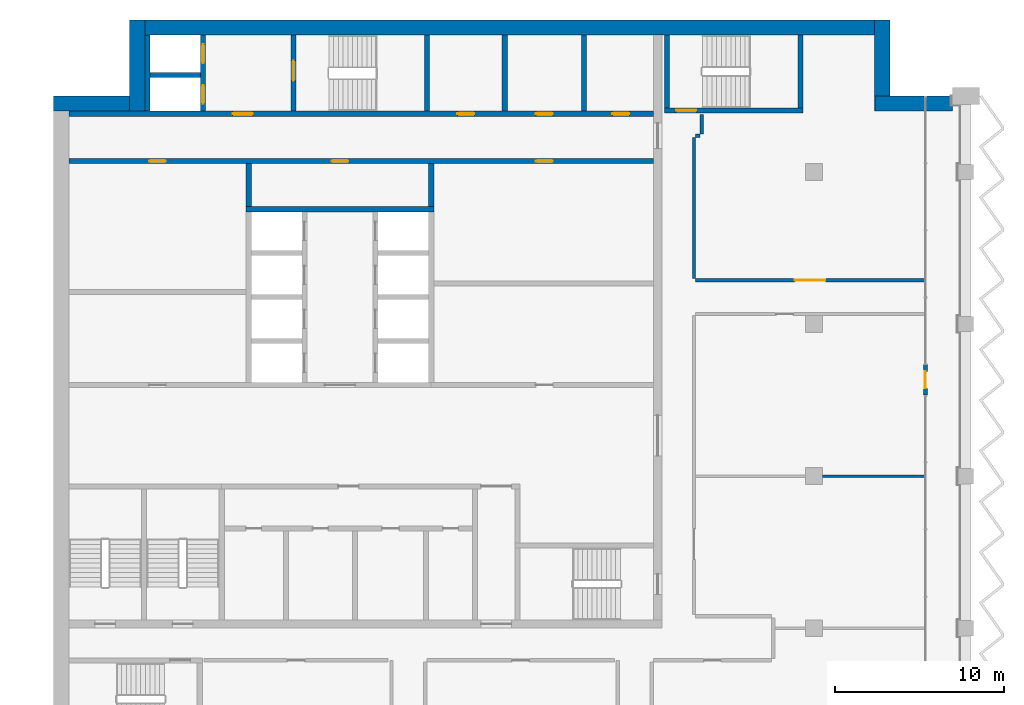
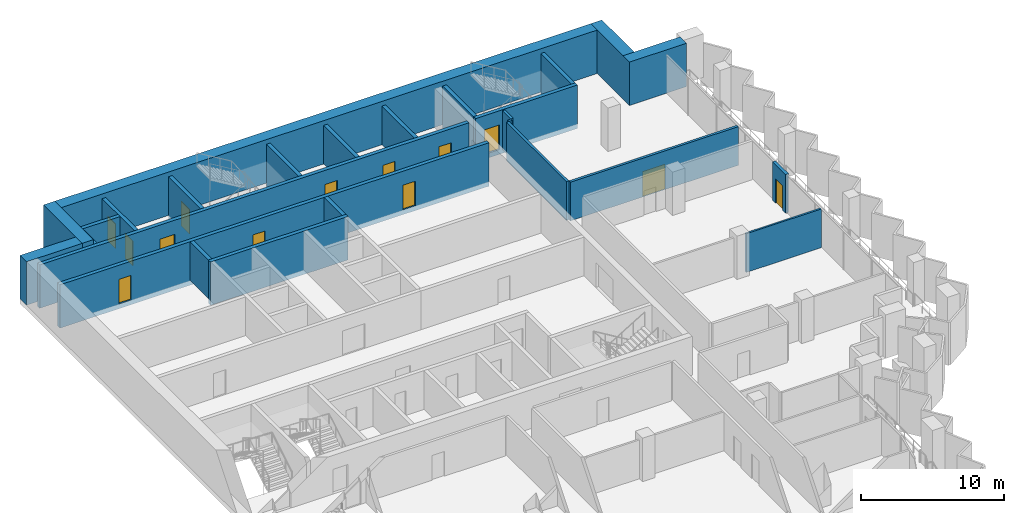
# One storey, part 10 of 16: 26 walls, 13 doors, 13 openings.
"""IFC4 building model written with IfcOpenShell, lengths in metres."""

from ifc_helpers import new_model, si_unit, direction, frame, frame_2d, origin, place, context, subcontext, project, spatial, rectangle, extrude, material, layer, layer_set, type_object, element, fill, save


model = new_model("IFC4")

# Units and contexts
model_context = context("Model", 3, precision=1e-05, world=origin(), true_north=direction((0.0, 1.0)))
body_context = subcontext(model_context, "Body", "Model", "MODEL_VIEW")
ifc_project = project(units=[si_unit("LENGTHUNIT", "METRE"), si_unit("AREAUNIT", "SQUARE_METRE"), si_unit("VOLUMEUNIT", "CUBIC_METRE"), si_unit("PLANEANGLEUNIT", "RADIAN"), si_unit("MASSUNIT", "GRAM", prefix="KILO")], contexts=[model_context])

# Site, building, storey
site_placement = place(None, origin())
site = spatial("IfcSite", under=ifc_project, at=site_placement, CompositionType="ELEMENT")
building_placement = place(site_placement, origin())
building = spatial("IfcBuilding", under=site, at=building_placement, Name="Hunhe Ridgeline Campus", CompositionType="ELEMENT")
storey_placement = place(building_placement, frame((0.0, 0.0, 257.699951171875)))
storey = spatial("IfcBuildingStorey", under=building, at=storey_placement, Name="L66", CompositionType="ELEMENT", Elevation=257.699951171875)

# Walls
ifc_material_1 = material(Name="Masonry concrete blockwork", Category="masonry")
ifc_layer_1 = layer(ifc_material_1, 0.300048828125)
ifc_layer_set_1 = layer_set([ifc_layer_1], Name="Core room partition 300 concrete block")
wall_type_1 = type_object("IfcWallType", Name="Core room partition 300 concrete block", PredefinedType="PARTITIONING", material=ifc_layer_set_1)
for number, where, z_axis, x_axis, name in (
    (1, (11.550048828125, 87.949951171875, 0.0), (0.0, 0.0, 1.0), (0.0, 1.0, 0.0), "L66 core partition 31"),
    (2, (22.35009765625, 87.949951171875, 0.0), (0.0, 0.0, 1.0), (0.0, 1.0, 0.0), "L66 core partition 41"),
):
    element("IfcWall", number, at=place(storey_placement, frame(where, z_axis=z_axis, x_axis=x_axis)), inside=storey, type_object=wall_type_1, Name=name, PredefinedType="PARTITIONING", context=body_context, shape_type="SweptSolid", body=[
        extrude(rectangle(XDim=2.550048828125, YDim=0.300048828125, at=frame_2d((1.27490234375, 0.0))), origin(), (0.0, 0.0, 1.0), 3.300048828125),
    ])
for number, where, z_axis, x_axis, name in (
    (3, (26.699951171875, 93.60009765625, 0.0), (0.0, 0.0, 1.0), (0.0, 1.0, 0.0), "L66 core partition 44"),
    (4, (31.39990234375, 93.60009765625, 0.0), (0.0, 0.0, 1.0), (0.0, 1.0, 0.0), "L66 core partition 47"),
):
    element("IfcWall", number, at=place(storey_placement, frame(where, z_axis=z_axis, x_axis=x_axis)), inside=storey, type_object=wall_type_1, Name=name, PredefinedType="PARTITIONING", context=body_context, shape_type="SweptSolid", body=[
        extrude(rectangle(XDim=4.5, YDim=0.300048828125, at=frame_2d((2.25, 0.0))), origin(), (0.0, 0.0, 1.0), 3.300048828125),
    ])

# Wall, opening, door
ifc_material_2 = material(Name="Gypsum board partition")
ifc_layer_2 = layer(ifc_material_2, 0.199951171875)
ifc_layer_set_2 = layer_set([ifc_layer_2], Name="Corridor partition 200 gypsum board on steel studs")
wall_type_2 = type_object("IfcWallType", Name="Corridor partition 200 gypsum board on steel studs", PredefinedType="PARTITIONING", material=ifc_layer_set_2)
wall_1_placement = place(storey_placement, frame((38.0, 83.60009765625, 0.0), z_axis=(0.0, 0.0, 1.0), x_axis=(1.0, 0.0, 0.0)))
wall_1 = element("IfcWall", 5, at=wall_1_placement, inside=storey, type_object=wall_type_2, Name="F-L66-wall-030", PredefinedType="PARTITIONING", context=body_context, shape_type="SweptSolid", body=[
    extrude(rectangle(XDim=13.544921875, YDim=0.199951171875, at=frame_2d((6.7724609375, 0.0))), origin(), (0.0, 0.0, 1.0), 3.300048828125),
])
opening_1_placement = place(wall_1_placement, frame((5.87255859375, 0.0, 0.0)))
opening_1 = element("IfcOpeningElement", 6, at=opening_1_placement, cuts=wall_1, Name="Opening RD2-020", PredefinedType="OPENING", context=body_context, shape_type="SweptSolid", body=[
    extrude(rectangle(XDim=1.800048828125, YDim=2.10009765625, at=frame_2d((0.89990234375, 1.050048828125))), frame((0.0, 0.10009765625, 0.0), z_axis=(0.0, -1.0, 0.0), x_axis=(1.0, 0.0, 0.0)), (0.0, 0.0, 1.0), 0.199951171875),
])
ifc_material_3 = material(Name="Timber door leaf", Category="wood")
door_type_1 = type_object("IfcDoorType", Name="Double fire door 1800x2100 timber FD60", OperationType="DOUBLE_DOOR_SINGLE_SWING", PredefinedType="DOOR", material=ifc_material_3)
door_1_placement = place(opening_1_placement, origin())
door_1 = element("IfcDoor", 7, at=door_1_placement, inside=storey, type_object=door_type_1, Name="F-L66-door-020", OperationType="DOUBLE_DOOR_SINGLE_SWING", OverallHeight=2.10009765625, OverallWidth=1.800048828125, PredefinedType="DOOR", context=body_context, shape_type="SweptSolid", body=[
    extrude(rectangle(XDim=1.800048828125, YDim=2.10009765625, at=frame_2d((0.89990234375, 1.050048828125))), frame((0.0, 0.02490234375, 0.0), z_axis=(0.0, -1.0, 0.0), x_axis=(1.0, 0.0, 0.0)), (0.0, 0.0, 1.0), 0.050048828125),
])
fill(opening_1, door_1)

# Walls
wall_2_placement = place(storey_placement, frame((38.25, 92.14990234375, 0.0), z_axis=(0.0, 0.0, 1.0), x_axis=(-1.0, 0.0, 0.0)))
element("IfcWall", 8, at=wall_2_placement, inside=storey, type_object=wall_type_2, Name="F-L66-wall-031", PredefinedType="PARTITIONING", context=body_context, shape_type="SweptSolid", body=[
    extrude(rectangle(XDim=0.25, YDim=0.199951171875, at=frame_2d((0.125, 0.0))), origin(), (0.0, 0.0, 1.0), 3.300048828125),
])
wall_3_placement = place(storey_placement, frame((37.89990234375, 92.050048828125, 0.0), z_axis=(0.0, 0.0, 1.0), x_axis=(0.0, -1.0, 0.0)))
element("IfcWall", 9, at=wall_3_placement, inside=storey, type_object=wall_type_2, Name="F-L66-wall-040", PredefinedType="PARTITIONING", context=body_context, shape_type="SweptSolid", body=[
    extrude(rectangle(XDim=8.35009765625, YDim=0.199951171875, at=frame_2d((4.175048828125, 0.0))), origin(), (0.0, 0.0, 1.0), 3.300048828125),
])
wall_4_placement = place(storey_placement, frame((38.35009765625, 93.39599609375, 0.0), z_axis=(0.0, 0.0, 1.0), x_axis=(0.0, -1.0, 0.0)))
element("IfcWall", 10, at=wall_4_placement, inside=storey, type_object=wall_type_2, Name="F-L66-wall-041", PredefinedType="PARTITIONING", context=body_context, shape_type="SweptSolid", body=[
    extrude(rectangle(XDim=1.14599609375, YDim=0.199951171875, at=frame_2d((0.572998046875, 0.0))), origin(), (0.0, 0.0, 1.0), 3.300048828125),
])

# Wall, openings, doors
ifc_material_4 = material(Name="Concrete C50", Category="concrete")
ifc_layer_3 = layer(ifc_material_4, 0.300048828125)
ifc_layer_set_3 = layer_set([ifc_layer_3], Name="Lobby wall 300 reinforced concrete C50")
wall_type_3 = type_object("IfcWallType", Name="Lobby wall 300 reinforced concrete C50", PredefinedType="SOLIDWALL", material=ifc_layer_set_3)
wall_5_placement = place(storey_placement, frame((0.89990234375, 90.64990234375, -0.39990234375), z_axis=(0.0, 0.0, 1.0), x_axis=(1.0, 0.0, 0.0)))
wall_5 = element("IfcWall", 11, at=wall_5_placement, inside=storey, type_object=wall_type_3, Name="L66 core wall 21", PredefinedType="SOLIDWALL", context=body_context, shape_type="SweptSolid", body=[
    extrude(rectangle(XDim=34.60009765625, YDim=0.300048828125, at=frame_2d((17.300048828125, 0.0))), origin(), (0.0, 0.0, 1.0), 3.699951171875),
])
opening_2_placement = place(wall_5_placement, frame((15.550048828125, 0.0, 0.39990234375)))
opening_2 = element("IfcOpeningElement", 12, at=opening_2_placement, cuts=wall_5, Name="Opening CD26", PredefinedType="OPENING", context=body_context, shape_type="SweptSolid", body=[
    extrude(rectangle(XDim=1.0, YDim=2.10009765625, at=frame_2d((0.5, 1.050048828125))), frame((0.0, 0.14990234375, 0.0), z_axis=(0.0, -1.0, 0.0), x_axis=(1.0, 0.0, 0.0)), (0.0, 0.0, 1.0), 0.300048828125),
])
opening_3_placement = place(wall_5_placement, frame((4.75, 0.0, 0.39990234375)))
opening_3 = element("IfcOpeningElement", 13, at=opening_3_placement, cuts=wall_5, Name="Opening CD40", PredefinedType="OPENING", context=body_context, shape_type="SweptSolid", body=[
    extrude(rectangle(XDim=1.0, YDim=2.10009765625, at=frame_2d((0.5, 1.050048828125))), frame((0.0, 0.14990234375, 0.0), z_axis=(0.0, -1.0, 0.0), x_axis=(1.0, 0.0, 0.0)), (0.0, 0.0, 1.0), 0.300048828125),
])
opening_4_placement = place(wall_5_placement, frame((27.64990234375, 0.0, 0.39990234375)))
opening_4 = element("IfcOpeningElement", 14, at=opening_4_placement, cuts=wall_5, Name="Opening CD33", PredefinedType="OPENING", context=body_context, shape_type="SweptSolid", body=[
    extrude(rectangle(XDim=1.0, YDim=2.10009765625, at=frame_2d((0.5, 1.050048828125))), frame((0.0, 0.14990234375, 0.0), z_axis=(0.0, -1.0, 0.0), x_axis=(1.0, 0.0, 0.0)), (0.0, 0.0, 1.0), 0.300048828125),
])
ifc_material_5 = material(Name="Solid core timber door leaf", Category="wood")
door_type_2 = type_object("IfcDoorType", Name="Timber door 1000x2100", OperationType="SINGLE_SWING_LEFT", PredefinedType="DOOR", material=ifc_material_5)
door_2_placement = place(opening_2_placement, frame((1.0, 0.0, 0.0), z_axis=(0.0, 0.0, 1.0), x_axis=(-1.0, 0.0, 0.0)))
door_2 = element("IfcDoor", 15, at=door_2_placement, inside=storey, type_object=door_type_2, Name="L66 door NR-0", OperationType="SINGLE_SWING_RIGHT", OverallHeight=2.10009765625, OverallWidth=1.0, PredefinedType="DOOR", context=body_context, shape_type="SweptSolid", body=[
    extrude(rectangle(XDim=1.0, YDim=2.10009765625, at=frame_2d((0.5, 1.050048828125))), frame((0.0, 0.02490234375, 0.0), z_axis=(0.0, -1.0, 0.0), x_axis=(1.0, 0.0, 0.0)), (0.0, 0.0, 1.0), 0.050048828125),
])
fill(opening_2, door_2)
door_3_placement = place(opening_3_placement, frame((1.0, 0.0, 0.0), z_axis=(0.0, 0.0, 1.0), x_axis=(-1.0, 0.0, 0.0)))
door_3 = element("IfcDoor", 16, at=door_3_placement, inside=storey, type_object=door_type_2, Name="L66 door VD-LR1", OperationType="SINGLE_SWING_RIGHT", OverallHeight=2.10009765625, OverallWidth=1.0, PredefinedType="DOOR", context=body_context, shape_type="SweptSolid", body=[
    extrude(rectangle(XDim=1.0, YDim=2.10009765625, at=frame_2d((0.5, 1.050048828125))), frame((0.0, 0.02490234375, 0.0), z_axis=(0.0, -1.0, 0.0), x_axis=(1.0, 0.0, 0.0)), (0.0, 0.0, 1.0), 0.050048828125),
])
fill(opening_3, door_3)
door_4_placement = place(opening_4_placement, frame((1.0, 0.0, 0.0), z_axis=(0.0, 0.0, 1.0), x_axis=(-1.0, 0.0, 0.0)))
door_4 = element("IfcDoor", 17, at=door_4_placement, inside=storey, type_object=door_type_2, Name="L66 door ES1", OperationType="SINGLE_SWING_LEFT", OverallHeight=2.10009765625, OverallWidth=1.0, PredefinedType="DOOR", context=body_context, shape_type="SweptSolid", body=[
    extrude(rectangle(XDim=1.0, YDim=2.10009765625, at=frame_2d((0.5, 1.050048828125))), frame((0.0, 0.02490234375, 0.0), z_axis=(0.0, -1.0, 0.0), x_axis=(1.0, 0.0, 0.0)), (0.0, 0.0, 1.0), 0.050048828125),
])
fill(opening_4, door_4)

# Wall, opening, door
ifc_material_6 = material(Name="Concrete C30", Category="concrete")
ifc_layer_4 = layer(ifc_material_6, 0.25)
ifc_layer_set_4 = layer_set([ifc_layer_4], Name="Loggia door pier wall 250 Concrete C30")
wall_type_4 = type_object("IfcWallType", Name="Loggia door pier wall 250 Concrete C30", PredefinedType="SOLIDWALL", material=ifc_layer_set_4)
wall_6_placement = place(storey_placement, frame((51.59912109375, 76.800537109375, 0.0), z_axis=(0.0, 0.0, 1.0), x_axis=(0.0, 1.0, 0.0)))
wall_6 = element("IfcWall", 18, at=wall_6_placement, inside=storey, type_object=wall_type_4, Name="Loggia door pier 4", PredefinedType="SOLIDWALL", context=body_context, shape_type="SweptSolid", body=[
    extrude(rectangle(XDim=1.800048828125, YDim=0.25, at=frame_2d((0.89990234375, 0.0))), origin(), (0.0, 0.0, 1.0), 3.300048828125),
])
opening_5_placement = place(wall_6_placement, frame((0.39990234375, 0.0, 0.0)))
opening_5 = element("IfcOpeningElement", 19, at=opening_5_placement, cuts=wall_6, Name="Opening BD506", PredefinedType="OPENING", context=body_context, shape_type="SweptSolid", body=[
    extrude(rectangle(XDim=1.0, YDim=2.10009765625, at=frame_2d((0.5, 1.050048828125))), frame((0.0, 0.125, 0.0), z_axis=(0.0, -1.0, 0.0), x_axis=(1.0, 0.0, 0.0)), (0.0, 0.0, 1.0), 0.25),
])
ifc_material_7 = material(Name="Aluminium 6063", Category="aluminium")
door_type_3 = type_object("IfcDoorType", Name="Loggia glazed door 1000x2100", OperationType="NOTDEFINED", PredefinedType="DOOR", material=ifc_material_7)
door_5_placement = place(opening_5_placement, frame((1.0, 0.0, 0.0), z_axis=(0.0, 0.0, 1.0), x_axis=(-1.0, 0.0, 0.0)))
door_5 = element("IfcDoor", 20, at=door_5_placement, inside=storey, type_object=door_type_3, Name="Loggia door BD506", OperationType="SINGLE_SWING_LEFT", OverallHeight=2.10009765625, OverallWidth=1.0, PredefinedType="DOOR", context=body_context, shape_type="SweptSolid", body=[
    extrude(rectangle(XDim=1.0, YDim=2.10009765625, at=frame_2d((0.5, 1.050048828125))), frame((0.0, 0.02490234375, 0.0), z_axis=(0.0, -1.0, 0.0), x_axis=(1.0, 0.0, 0.0)), (0.0, 0.0, 1.0), 0.050048828125),
])
fill(opening_5, door_5)

# Walls
ifc_layer_5 = layer(ifc_material_2, 0.14990234375)
ifc_layer_set_5 = layer_set([ifc_layer_5], Name="Room partition 150 gypsum board on steel studs")
wall_type_5 = type_object("IfcWallType", Name="Room partition 150 gypsum board on steel studs", PredefinedType="PARTITIONING", material=ifc_layer_set_5)
wall_7_placement = place(storey_placement, frame((45.5, 72.0, 0.0), z_axis=(0.0, 0.0, 1.0), x_axis=(1.0, 0.0, 0.0)))
element("IfcWall", 21, at=wall_7_placement, inside=storey, type_object=wall_type_5, Name="F-L66-wall-028", PredefinedType="PARTITIONING", context=body_context, shape_type="SweptSolid", body=[
    extrude(rectangle(XDim=6.044921875, YDim=0.14990234375, at=frame_2d((3.0224609375, 0.0))), origin(), (0.0, 0.0, 1.0), 3.300048828125),
])
ifc_layer_6 = layer(ifc_material_4, 0.300048828125)
ifc_layer_set_6 = layer_set([ifc_layer_6], Name="Shaft wall 300 reinforced concrete C50")
wall_type_6 = type_object("IfcWallType", Name="Shaft wall 300 reinforced concrete C50", PredefinedType="SOLIDWALL", material=ifc_layer_set_6)
wall_8_placement = place(storey_placement, frame((11.39990234375, 87.800048828125, -0.39990234375), z_axis=(0.0, 0.0, 1.0), x_axis=(1.0, 0.0, 0.0)))
element("IfcWall", 22, at=wall_8_placement, inside=storey, type_object=wall_type_6, Name="L66 core wall 20", PredefinedType="SOLIDWALL", context=body_context, shape_type="SweptSolid", body=[
    extrude(rectangle(XDim=11.10009765625, YDim=0.300048828125, at=frame_2d((5.550048828125, 0.0))), origin(), (0.0, 0.0, 1.0), 3.699951171875),
])

# Wall, openings, doors
wall_9_placement = place(storey_placement, frame((0.89990234375, 93.449951171875, -0.39990234375), z_axis=(0.0, 0.0, 1.0), x_axis=(1.0, 0.0, 0.0)))
wall_9 = element("IfcWall", 23, at=wall_9_placement, inside=storey, type_object=wall_type_6, Name="L66 core wall 22", PredefinedType="SOLIDWALL", context=body_context, shape_type="SweptSolid", body=[
    extrude(rectangle(XDim=34.60009765625, YDim=0.300048828125, at=frame_2d((17.300048828125, 0.0))), origin(), (0.0, 0.0, 1.0), 3.699951171875),
])
opening_6_placement = place(wall_9_placement, frame((9.699951171875, 0.0, 0.39990234375)))
opening_6 = element("IfcOpeningElement", 24, at=opening_6_placement, cuts=wall_9, Name="Opening CD3", PredefinedType="OPENING", context=body_context, shape_type="SweptSolid", body=[
    extrude(rectangle(XDim=1.199951171875, YDim=2.10009765625, at=frame_2d((0.60009765625, 1.050048828125))), frame((0.0, 0.14990234375, 0.0), z_axis=(0.0, -1.0, 0.0), x_axis=(1.0, 0.0, 0.0)), (0.0, 0.0, 1.0), 0.300048828125),
])
opening_7_placement = place(wall_9_placement, frame((23.0, 0.0, 0.39990234375)))
opening_7 = element("IfcOpeningElement", 25, at=opening_7_placement, cuts=wall_9, Name="Opening CD34", PredefinedType="OPENING", context=body_context, shape_type="SweptSolid", body=[
    extrude(rectangle(XDim=1.0, YDim=2.10009765625, at=frame_2d((0.5, 1.050048828125))), frame((0.0, 0.14990234375, 0.0), z_axis=(0.0, -1.0, 0.0), x_axis=(1.0, 0.0, 0.0)), (0.0, 0.0, 1.0), 0.300048828125),
])
opening_8_placement = place(wall_9_placement, frame((27.64990234375, 0.0, 0.39990234375)))
opening_8 = element("IfcOpeningElement", 26, at=opening_8_placement, cuts=wall_9, Name="Opening CD35", PredefinedType="OPENING", context=body_context, shape_type="SweptSolid", body=[
    extrude(rectangle(XDim=1.0, YDim=2.10009765625, at=frame_2d((0.5, 1.050048828125))), frame((0.0, 0.14990234375, 0.0), z_axis=(0.0, -1.0, 0.0), x_axis=(1.0, 0.0, 0.0)), (0.0, 0.0, 1.0), 0.300048828125),
])
opening_9_placement = place(wall_9_placement, frame((32.175048828125, 0.0, 0.39990234375)))
opening_9 = element("IfcOpeningElement", 27, at=opening_9_placement, cuts=wall_9, Name="Opening CD36", PredefinedType="OPENING", context=body_context, shape_type="SweptSolid", body=[
    extrude(rectangle(XDim=1.0, YDim=2.10009765625, at=frame_2d((0.5, 1.050048828125))), frame((0.0, 0.14990234375, 0.0), z_axis=(0.0, -1.0, 0.0), x_axis=(1.0, 0.0, 0.0)), (0.0, 0.0, 1.0), 0.300048828125),
])
ifc_material_8 = material(Name="Hollow metal fire door leaf")
door_type_4 = type_object("IfcDoorType", Name="Lobby door 1200x2100 FD60", OperationType="SINGLE_SWING_LEFT", PredefinedType="DOOR", material=ifc_material_8)
door_6_placement = place(opening_6_placement, frame((1.199951171875, 0.0, 0.0), z_axis=(0.0, 0.0, 1.0), x_axis=(-1.0, 0.0, 0.0)))
door_6 = element("IfcDoor", 28, at=door_6_placement, inside=storey, type_object=door_type_4, Name="L66 door FF-C1", OperationType="SINGLE_SWING_RIGHT", OverallHeight=2.10009765625, OverallWidth=1.199951171875, PredefinedType="DOOR", context=body_context, shape_type="SweptSolid", body=[
    extrude(rectangle(XDim=1.199951171875, YDim=2.10009765625, at=frame_2d((0.60009765625, 1.050048828125))), frame((0.0, 0.02490234375, 0.0), z_axis=(0.0, -1.0, 0.0), x_axis=(1.0, 0.0, 0.0)), (0.0, 0.0, 1.0), 0.050048828125),
])
fill(opening_6, door_6)
door_7_placement = place(opening_7_placement, origin())
door_7 = element("IfcDoor", 29, at=door_7_placement, inside=storey, type_object=door_type_2, Name="L66 door NB0", OperationType="SINGLE_SWING_LEFT", OverallHeight=2.10009765625, OverallWidth=1.0, PredefinedType="DOOR", context=body_context, shape_type="SweptSolid", body=[
    extrude(rectangle(XDim=1.0, YDim=2.10009765625, at=frame_2d((0.5, 1.050048828125))), frame((0.0, 0.02490234375, 0.0), z_axis=(0.0, -1.0, 0.0), x_axis=(1.0, 0.0, 0.0)), (0.0, 0.0, 1.0), 0.050048828125),
])
fill(opening_7, door_7)
door_8_placement = place(opening_8_placement, origin())
door_8 = element("IfcDoor", 30, at=door_8_placement, inside=storey, type_object=door_type_2, Name="L66 door NB1", OperationType="SINGLE_SWING_RIGHT", OverallHeight=2.10009765625, OverallWidth=1.0, PredefinedType="DOOR", context=body_context, shape_type="SweptSolid", body=[
    extrude(rectangle(XDim=1.0, YDim=2.10009765625, at=frame_2d((0.5, 1.050048828125))), frame((0.0, 0.02490234375, 0.0), z_axis=(0.0, -1.0, 0.0), x_axis=(1.0, 0.0, 0.0)), (0.0, 0.0, 1.0), 0.050048828125),
])
fill(opening_8, door_8)
door_9_placement = place(opening_9_placement, origin())
door_9 = element("IfcDoor", 31, at=door_9_placement, inside=storey, type_object=door_type_2, Name="L66 door NB2", OperationType="SINGLE_SWING_LEFT", OverallHeight=2.10009765625, OverallWidth=1.0, PredefinedType="DOOR", context=body_context, shape_type="SweptSolid", body=[
    extrude(rectangle(XDim=1.0, YDim=2.10009765625, at=frame_2d((0.5, 1.050048828125))), frame((0.0, 0.02490234375, 0.0), z_axis=(0.0, -1.0, 0.0), x_axis=(1.0, 0.0, 0.0)), (0.0, 0.0, 1.0), 0.050048828125),
])
fill(opening_9, door_9)

# Walls
wall_10_placement = place(storey_placement, frame((5.699951171875, 95.75, -0.39990234375), z_axis=(0.0, 0.0, 1.0), x_axis=(1.0, 0.0, 0.0)))
element("IfcWall", 32, at=wall_10_placement, inside=storey, type_object=wall_type_6, Name="L66 core wall 24", PredefinedType="SOLIDWALL", context=body_context, shape_type="SweptSolid", body=[
    extrude(rectangle(XDim=3.0, YDim=0.300048828125, at=frame_2d((1.5, 0.0))), origin(), (0.0, 0.0, 1.0), 3.699951171875),
])
wall_11_placement = place(storey_placement, frame((5.550048828125, 93.60009765625, -0.39990234375), z_axis=(0.0, 0.0, 1.0), x_axis=(0.0, 1.0, 0.0)))
element("IfcWall", 33, at=wall_11_placement, inside=storey, type_object=wall_type_6, Name="L66 core wall 26", PredefinedType="SOLIDWALL", context=body_context, shape_type="SweptSolid", body=[
    extrude(rectangle(XDim=4.5, YDim=0.300048828125, at=frame_2d((2.25, 0.0))), origin(), (0.0, 0.0, 1.0), 3.699951171875),
])

# Wall, openings, doors
wall_12_placement = place(storey_placement, frame((8.85009765625, 93.60009765625, -0.39990234375), z_axis=(0.0, 0.0, 1.0), x_axis=(0.0, 1.0, 0.0)))
wall_12 = element("IfcWall", 34, at=wall_12_placement, inside=storey, type_object=wall_type_6, Name="L66 core wall 28", PredefinedType="SOLIDWALL", context=body_context, shape_type="SweptSolid", body=[
    extrude(rectangle(XDim=4.5, YDim=0.300048828125, at=frame_2d((2.25, 0.0))), origin(), (0.0, 0.0, 1.0), 3.699951171875),
])
opening_10_placement = place(wall_12_placement, frame((0.449951171875, 0.0, 0.39990234375)))
opening_10 = element("IfcOpeningElement", 35, at=opening_10_placement, cuts=wall_12, Name="Opening LD-FF1", PredefinedType="OPENING", context=body_context, shape_type="SweptSolid", body=[
    extrude(rectangle(XDim=1.10009765625, YDim=2.10009765625, at=frame_2d((0.550048828125, 1.050048828125))), frame((0.0, 0.14990234375, 0.0), z_axis=(0.0, -1.0, 0.0), x_axis=(1.0, 0.0, 0.0)), (0.0, 0.0, 1.0), 0.300048828125),
])
opening_11_placement = place(wall_12_placement, frame((2.85009765625, 0.0, 0.39990234375)))
opening_11 = element("IfcOpeningElement", 36, at=opening_11_placement, cuts=wall_12, Name="Opening LD-FF2", PredefinedType="OPENING", context=body_context, shape_type="SweptSolid", body=[
    extrude(rectangle(XDim=1.10009765625, YDim=2.10009765625, at=frame_2d((0.550048828125, 1.050048828125))), frame((0.0, 0.14990234375, 0.0), z_axis=(0.0, -1.0, 0.0), x_axis=(1.0, 0.0, 0.0)), (0.0, 0.0, 1.0), 0.300048828125),
])
ifc_material_9 = material(Name="Stainless steel sliding leaves", Category="steel")
door_type_5 = type_object("IfcDoorType", Name="Landing door 1100x2100 FD120", OperationType="SLIDING_TO_LEFT", PredefinedType="DOOR", material=ifc_material_9)
door_10_placement = place(opening_10_placement, origin())
door_10 = element("IfcDoor", 37, at=door_10_placement, inside=storey, type_object=door_type_5, Name="L66 landing door FF1", OperationType="SLIDING_TO_RIGHT", OverallHeight=2.10009765625, OverallWidth=1.10009765625, PredefinedType="DOOR", context=body_context, shape_type="SweptSolid", body=[
    extrude(rectangle(XDim=1.10009765625, YDim=2.10009765625, at=frame_2d((0.550048828125, 1.050048828125))), frame((0.0, 0.02490234375, 0.0), z_axis=(0.0, -1.0, 0.0), x_axis=(1.0, 0.0, 0.0)), (0.0, 0.0, 1.0), 0.050048828125),
])
fill(opening_10, door_10)
door_11_placement = place(opening_11_placement, origin())
door_11 = element("IfcDoor", 38, at=door_11_placement, inside=storey, type_object=door_type_5, Name="L66 landing door FF2", OperationType="SLIDING_TO_LEFT", OverallHeight=2.10009765625, OverallWidth=1.10009765625, PredefinedType="DOOR", context=body_context, shape_type="SweptSolid", body=[
    extrude(rectangle(XDim=1.10009765625, YDim=2.10009765625, at=frame_2d((0.550048828125, 1.050048828125))), frame((0.0, 0.02490234375, 0.0), z_axis=(0.0, -1.0, 0.0), x_axis=(1.0, 0.0, 0.0)), (0.0, 0.0, 1.0), 0.050048828125),
])
fill(opening_11, door_11)

# Walls
ifc_material_10 = material(Name="Concrete C60", Category="concrete")
ifc_layer_7 = layer(ifc_material_10, 0.89990234375)
ifc_layer_set_7 = layer_set([ifc_layer_7], Name="Spine wall 900 Concrete C60")
wall_type_7 = type_object("IfcWallType", Name="Spine wall 900 Concrete C60", PredefinedType="SHEAR", material=ifc_layer_set_7)
wall_13_placement = place(storey_placement, frame((53.199951171875, 94.050048828125, 0.0), z_axis=(0.0, 0.0, 1.0), x_axis=(-1.0, 0.0, 0.0)))
element("IfcWall", 39, at=wall_13_placement, inside=storey, type_object=wall_type_7, Name="Spine wall SW3-2 L66", PredefinedType="SHEAR", context=body_context, shape_type="SweptSolid", body=[
    extrude(rectangle(XDim=4.599853515625, YDim=0.89990234375, at=frame_2d((2.2998046875, 0.0))), origin(), (0.0, 0.0, 1.0), 3.699951171875),
])
wall_14_placement = place(storey_placement, frame((49.050048828125, 93.60009765625, 0.0), z_axis=(0.0, 0.0, 1.0), x_axis=(0.0, 1.0, 0.0)))
element("IfcWall", 40, at=wall_14_placement, inside=storey, type_object=wall_type_7, Name="Spine wall SW3-3 L66", PredefinedType="SHEAR", context=body_context, shape_type="SweptSolid", body=[
    extrude(rectangle(XDim=5.39990234375, YDim=0.89990234375, at=frame_2d((2.699951171875, 0.0))), origin(), (0.0, 0.0, 1.0), 3.699951171875),
])
wall_15_placement = place(storey_placement, frame((49.5, 98.550048828125, 0.0), z_axis=(0.0, 0.0, 1.0), x_axis=(-1.0, 0.0, 0.0)))
element("IfcWall", 41, at=wall_15_placement, inside=storey, type_object=wall_type_7, Name="Spine wall SW3-4 L66", PredefinedType="SHEAR", context=body_context, shape_type="SweptSolid", body=[
    extrude(rectangle(XDim=45.0, YDim=0.89990234375, at=frame_2d((22.5, 0.0))), origin(), (0.0, 0.0, 1.0), 3.699951171875),
])
for number, where, z_axis, x_axis, name in (
    (42, (4.949951171875, 99.0, 0.0), (0.0, 0.0, 1.0), (0.0, -1.0, 0.0), "Spine wall SW3-5 L66"),
    (43, (5.400146484375, 94.050048828125, 0.0), (0.0, 0.0, 1.0), (-1.0, 0.0, 0.0), "Spine wall SW3-6 L66"),
):
    element("IfcWall", number, at=place(storey_placement, frame(where, z_axis=z_axis, x_axis=x_axis)), inside=storey, type_object=wall_type_7, Name=name, PredefinedType="SHEAR", context=body_context, shape_type="SweptSolid", body=[
        extrude(rectangle(XDim=5.400146484375, YDim=0.89990234375, at=frame_2d((2.7001953125, 0.0))), origin(), (0.0, 0.0, 1.0), 3.699951171875),
    ])

# Wall, opening, door
ifc_layer_8 = layer(ifc_material_4, 0.300048828125)
ifc_layer_set_8 = layer_set([ifc_layer_8], Name="Stair wall 300 reinforced concrete C50")
wall_type_8 = type_object("IfcWallType", Name="Stair wall 300 reinforced concrete C50", PredefinedType="SOLIDWALL", material=ifc_layer_set_8)
wall_16_placement = place(storey_placement, frame((36.14990234375, 93.64990234375, -0.39990234375), z_axis=(0.0, 0.0, 1.0), x_axis=(1.0, 0.0, 0.0)))
wall_16 = element("IfcWall", 44, at=wall_16_placement, inside=storey, type_object=wall_type_8, Name="L66 core wall 23", PredefinedType="SOLIDWALL", context=body_context, shape_type="SweptSolid", body=[
    extrude(rectangle(XDim=8.2001953125, YDim=0.300048828125, at=frame_2d((4.10009765625, 0.0))), origin(), (0.0, 0.0, 1.0), 3.699951171875),
])
opening_12_placement = place(wall_16_placement, frame((0.699951171875, 0.0, 0.39990234375)))
opening_12 = element("IfcOpeningElement", 45, at=opening_12_placement, cuts=wall_16, Name="Opening CD17", PredefinedType="OPENING", context=body_context, shape_type="SweptSolid", body=[
    extrude(rectangle(XDim=1.199951171875, YDim=2.10009765625, at=frame_2d((0.60009765625, 1.050048828125))), frame((0.0, 0.14990234375, 0.0), z_axis=(0.0, -1.0, 0.0), x_axis=(1.0, 0.0, 0.0)), (0.0, 0.0, 1.0), 0.300048828125),
])
door_type_6 = type_object("IfcDoorType", Name="Stair door 1200x2100 FD60", OperationType="SINGLE_SWING_LEFT", PredefinedType="DOOR", material=ifc_material_8)
door_12_placement = place(opening_12_placement, frame((1.199951171875, 0.0, 0.0), z_axis=(0.0, 0.0, 1.0), x_axis=(-1.0, 0.0, 0.0)))
door_12 = element("IfcDoor", 46, at=door_12_placement, inside=storey, type_object=door_type_6, Name="L66 door E1", OperationType="SINGLE_SWING_LEFT", OverallHeight=2.10009765625, OverallWidth=1.199951171875, PredefinedType="DOOR", context=body_context, shape_type="SweptSolid", body=[
    extrude(rectangle(XDim=1.199951171875, YDim=2.10009765625, at=frame_2d((0.60009765625, 1.050048828125))), frame((0.0, 0.02490234375, 0.0), z_axis=(0.0, -1.0, 0.0), x_axis=(1.0, 0.0, 0.0)), (0.0, 0.0, 1.0), 0.050048828125),
])
fill(opening_12, door_12)

wall_17_placement = place(storey_placement, frame((14.199951171875, 93.60009765625, -0.39990234375), z_axis=(0.0, 0.0, 1.0), x_axis=(0.0, 1.0, 0.0)))
wall_17 = element("IfcWall", 47, at=wall_17_placement, inside=storey, type_object=wall_type_8, Name="L66 core wall 33", PredefinedType="SOLIDWALL", context=body_context, shape_type="SweptSolid", body=[
    extrude(rectangle(XDim=4.5, YDim=0.300048828125, at=frame_2d((2.25, 0.0))), origin(), (0.0, 0.0, 1.0), 3.699951171875),
])
opening_13_placement = place(wall_17_placement, frame((1.800048828125, 0.0, 0.39990234375)))
opening_13 = element("IfcOpeningElement", 48, at=opening_13_placement, cuts=wall_17, Name="Opening CD16", PredefinedType="OPENING", context=body_context, shape_type="SweptSolid", body=[
    extrude(rectangle(XDim=1.199951171875, YDim=2.10009765625, at=frame_2d((0.60009765625, 1.050048828125))), frame((0.0, 0.14990234375, 0.0), z_axis=(0.0, -1.0, 0.0), x_axis=(1.0, 0.0, 0.0)), (0.0, 0.0, 1.0), 0.300048828125),
])
door_13_placement = place(opening_13_placement, origin())
door_13 = element("IfcDoor", 49, at=door_13_placement, inside=storey, type_object=door_type_6, Name="L66 door S1-FF", OperationType="SINGLE_SWING_RIGHT", OverallHeight=2.10009765625, OverallWidth=1.199951171875, PredefinedType="DOOR", context=body_context, shape_type="SweptSolid", body=[
    extrude(rectangle(XDim=1.199951171875, YDim=2.10009765625, at=frame_2d((0.60009765625, 1.050048828125))), frame((0.0, 0.02490234375, 0.0), z_axis=(0.0, -1.0, 0.0), x_axis=(1.0, 0.0, 0.0)), (0.0, 0.0, 1.0), 0.050048828125),
])
fill(opening_13, door_13)

# Walls
wall_18_placement = place(storey_placement, frame((22.10009765625, 93.60009765625, -0.39990234375), z_axis=(0.0, 0.0, 1.0), x_axis=(0.0, 1.0, 0.0)))
element("IfcWall", 50, at=wall_18_placement, inside=storey, type_object=wall_type_8, Name="L66 core wall 39", PredefinedType="SOLIDWALL", context=body_context, shape_type="SweptSolid", body=[
    extrude(rectangle(XDim=4.5, YDim=0.300048828125, at=frame_2d((2.25, 0.0))), origin(), (0.0, 0.0, 1.0), 3.699951171875),
])
for number, where, z_axis, x_axis, name in (
    (51, (36.300048828125, 93.800048828125, -0.39990234375), (0.0, 0.0, 1.0), (0.0, 1.0, 0.0), "L66 core wall 49"),
    (52, (44.199951171875, 93.800048828125, -0.39990234375), (0.0, 0.0, 1.0), (0.0, 1.0, 0.0), "L66 core wall 50"),
):
    element("IfcWall", number, at=place(storey_placement, frame(where, z_axis=z_axis, x_axis=x_axis)), inside=storey, type_object=wall_type_8, Name=name, PredefinedType="SOLIDWALL", context=body_context, shape_type="SweptSolid", body=[
        extrude(rectangle(XDim=4.300048828125, YDim=0.300048828125, at=frame_2d((2.14990234375, 0.0))), origin(), (0.0, 0.0, 1.0), 3.699951171875),
    ])

save(model, "model.ifc")
